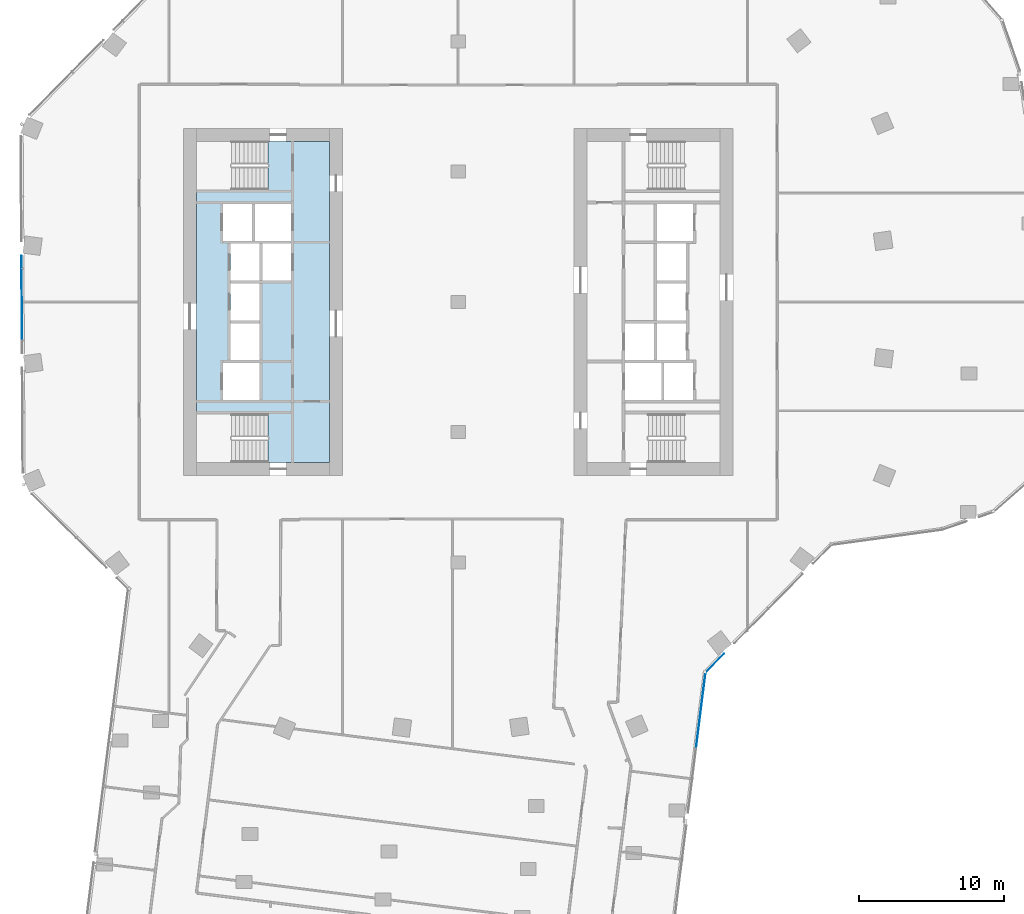
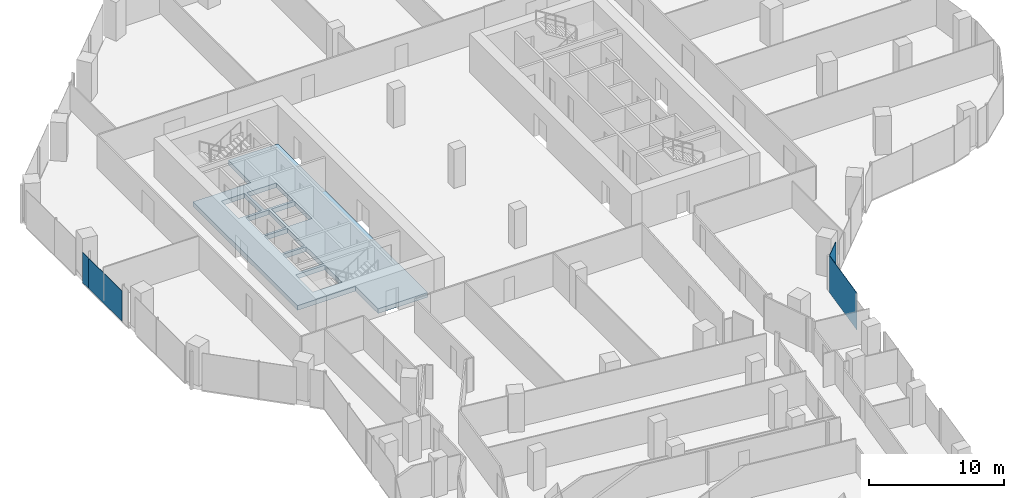
# One storey, part 14 of 27: 4 plates, 1 slab, 3 elements without a shape of their own.
"""IFC4 building model written with IfcOpenShell, lengths in metres."""

from ifc_helpers import new_model, si_unit, direction, frame, origin, origin_2d, place, context, subcontext, project, spatial, polyline, rectangle, outline, extrude, material, layer, layer_set, type_object, element, aggregate, save


model = new_model("IFC4")

# Units and contexts
model_context = context("Model", 3, precision=1e-05, world=origin(), true_north=direction((0.0, 1.0)))
body_context = subcontext(model_context, "Body", "Model", "MODEL_VIEW")
ifc_project = project(units=[si_unit("LENGTHUNIT", "METRE"), si_unit("AREAUNIT", "SQUARE_METRE"), si_unit("VOLUMEUNIT", "CUBIC_METRE"), si_unit("PLANEANGLEUNIT", "RADIAN"), si_unit("MASSUNIT", "GRAM", prefix="KILO")], contexts=[model_context])

# Site, building, storey
site_placement = place(None, origin())
site = spatial("IfcSite", under=ifc_project, at=site_placement, CompositionType="ELEMENT")
building_placement = place(site_placement, origin())
building = spatial("IfcBuilding", under=site, at=building_placement, Name="Orlundy Tower", CompositionType="ELEMENT")
storey_placement = place(building_placement, frame((0.0, 0.0, 202.60009765625)))
storey = spatial("IfcBuildingStorey", under=building, at=storey_placement, Name="L53", CompositionType="ELEMENT", Elevation=202.60009765625)

# Curtain wall, plates
ifc_material_1 = material(Name="Aluminium bronze anodised", Category="aluminium")
curtain_wall_type = type_object("IfcCurtainWallType", Name="CW1 wall", PredefinedType="NOTDEFINED", material=ifc_material_1)
curtain_wall_1_placement = place(storey_placement, origin())
curtain_wall_1 = element("IfcCurtainWall", 1, at=curtain_wall_1_placement, inside=storey, type_object=curtain_wall_type, Name="CW1 run 02", PredefinedType="NOTDEFINED")
ifc_material_2 = material(Name="Tinted glass", Category="glass")
ifc_layer_1 = layer(ifc_material_2, 0.031982421875)
ifc_layer_set_1 = layer_set([ifc_layer_1], Name="CW1 glass panel 32")
plate_type = type_object("IfcPlateType", Name="CW1 glass panel 32", PredefinedType="CURTAIN_PANEL", material=ifc_layer_set_1)
plate_1_placement = place(storey_placement, frame((-30.16357421875, -0.175537109375, -0.300048828125), z_axis=(0.0, 0.0, 1.0), x_axis=(-0.005834206419, 0.999982980873, 0.0)))
plate_1 = element("IfcPlate", 2, at=plate_1_placement, type_object=plate_type, Name="CW1 panel", PredefinedType="CURTAIN_PANEL", context=body_context, shape_type="SweptSolid", body=[
    extrude(rectangle(XDim=4.920654296875, YDim=0.031982421875, at=origin_2d()), origin(), (0.0, 0.0, 1.0), 2.73388671875),
])
plate_2_placement = place(storey_placement, frame((-30.1806640625, 2.758056640625, -0.300048828125), z_axis=(0.0, 0.0, 1.0), x_axis=(-0.005834206419, 0.999982980873, 0.0)))
plate_2 = element("IfcPlate", 3, at=plate_2_placement, type_object=plate_type, Name="CW1 panel", PredefinedType="CURTAIN_PANEL", context=body_context, shape_type="SweptSolid", body=[
    extrude(rectangle(XDim=0.8466796875, YDim=0.031982421875, at=origin_2d()), origin(), (0.0, 0.0, 1.0), 2.73388671875),
])
aggregate(curtain_wall_1, [plate_1, plate_2])

# Curtain wall, plate
curtain_wall_2_placement = place(storey_placement, origin())
curtain_wall_2 = element("IfcCurtainWall", 4, at=curtain_wall_2_placement, inside=storey, type_object=curtain_wall_type, Name="CW1 run 017", PredefinedType="NOTDEFINED")
plate_3_placement = place(storey_placement, frame((17.739013671875, -24.9619140625, -0.300048828125), z_axis=(0.0, 0.0, 1.0), x_axis=(-0.702970467781, -0.711219038994, 0.0)))
plate_3 = element("IfcPlate", 5, at=plate_3_placement, type_object=plate_type, Name="CW1 panel", PredefinedType="CURTAIN_PANEL", context=body_context, shape_type="SweptSolid", body=[
    extrude(rectangle(XDim=1.810302734375, YDim=0.031982421875, at=origin_2d()), origin(), (0.0, 0.0, 1.0), 3.35009765625),
])
aggregate(curtain_wall_2, [plate_3])

curtain_wall_3_placement = place(storey_placement, origin())
curtain_wall_3 = element("IfcCurtainWall", 6, at=curtain_wall_3_placement, inside=storey, type_object=curtain_wall_type, Name="CW1 run 018", PredefinedType="NOTDEFINED")
plate_4_placement = place(storey_placement, frame((16.773681640625, -28.22314453125, -0.300048828125), z_axis=(0.0, 0.0, 1.0), x_axis=(-0.124742379758, -0.992189164773, 0.0)))
plate_4 = element("IfcPlate", 7, at=plate_4_placement, type_object=plate_type, Name="CW1 panel", PredefinedType="CURTAIN_PANEL", context=body_context, shape_type="SweptSolid", body=[
    extrude(rectangle(XDim=5.27587890625, YDim=0.031982421875, at=origin_2d()), origin(), (0.0, 0.0, 1.0), 3.35009765625),
])
aggregate(curtain_wall_3, [plate_4])

# Slab
ifc_material_3 = material(Name="Concrete C50/60", Category="concrete")
ifc_layer_2 = layer(ifc_material_3, 0.419921875)
ifc_layer_set_2 = layer_set([ifc_layer_2], Name="Core Floor Slab 420")
slab_type = type_object("IfcSlabType", Name="Core Floor Slab 420", PredefinedType="FLOOR", material=ifc_layer_set_2)
slab_placement = place(storey_placement, frame((0.0, 0.0, -0.420166015625)))
element("IfcSlab", 8, at=slab_placement, inside=storey, type_object=slab_type, Name="Core floor W40", PredefinedType="FLOOR", context=body_context, shape_type="SweptSolid", body=[
    extrude(outline(polyline([(-13.14501953125, -11.10009765625), (-13.14501953125, -7.75), (-18.10009765625, -7.75), (-18.10009765625, 7.75), (-13.14501953125, 7.75), (-13.14501953125, 11.10009765625), (-8.89990234375, 11.10009765625), (-8.89990234375, -11.10009765625), (-13.14501953125, -11.10009765625)]), holes=[polyline([(-13.739990234375, -4.22509765625), (-16.239990234375, -4.22509765625), (-16.239990234375, -6.77490234375), (-13.739990234375, -6.77490234375), (-13.739990234375, -4.22509765625)]), polyline([(-13.739990234375, -4.02490234375), (-13.739990234375, -1.47509765625), (-15.739990234375, -1.47509765625), (-15.739990234375, -4.02490234375), (-13.739990234375, -4.02490234375)]), polyline([(-15.739990234375, -1.27490234375), (-13.739990234375, -1.27490234375), (-13.739990234375, 1.27490234375), (-15.739990234375, 1.27490234375), (-15.739990234375, -1.27490234375)]), polyline([(-13.5400390625, 4.02490234375), (-13.5400390625, 1.47509765625), (-11.5400390625, 1.47509765625), (-11.5400390625, 4.02490234375), (-13.5400390625, 4.02490234375)]), polyline([(-13.739990234375, 4.02490234375), (-15.739990234375, 4.02490234375), (-15.739990234375, 1.47509765625), (-13.739990234375, 1.47509765625), (-13.739990234375, 4.02490234375)]), polyline([(-11.5400390625, 4.22509765625), (-11.5400390625, 6.77490234375), (-14.0400390625, 6.77490234375), (-14.0400390625, 4.22509765625), (-11.5400390625, 4.22509765625)]), polyline([(-16.239990234375, 4.22509765625), (-14.239990234375, 4.22509765625), (-14.239990234375, 6.77490234375), (-16.239990234375, 6.77490234375), (-16.239990234375, 4.22509765625)])]), origin(), (0.0, 0.0, 1.0), 0.420166015625),
])

save(model, "model.ifc")
